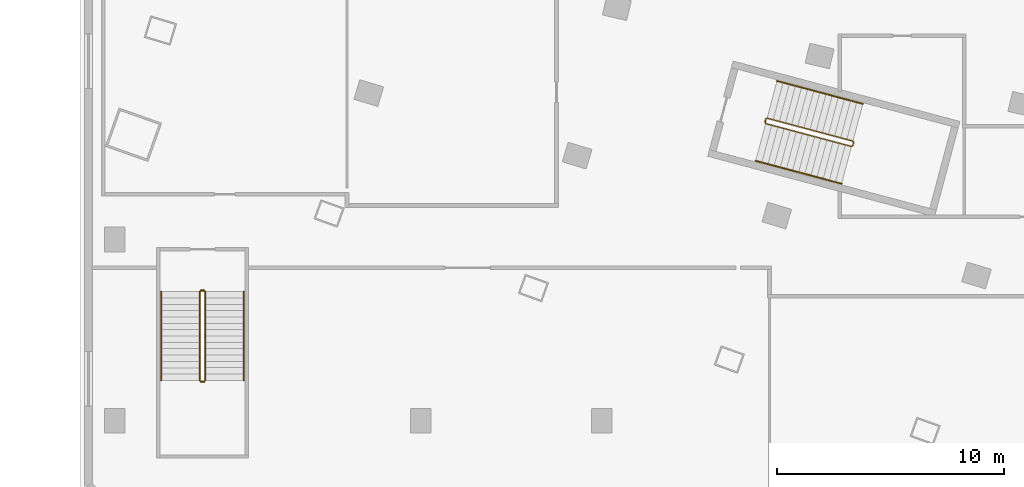
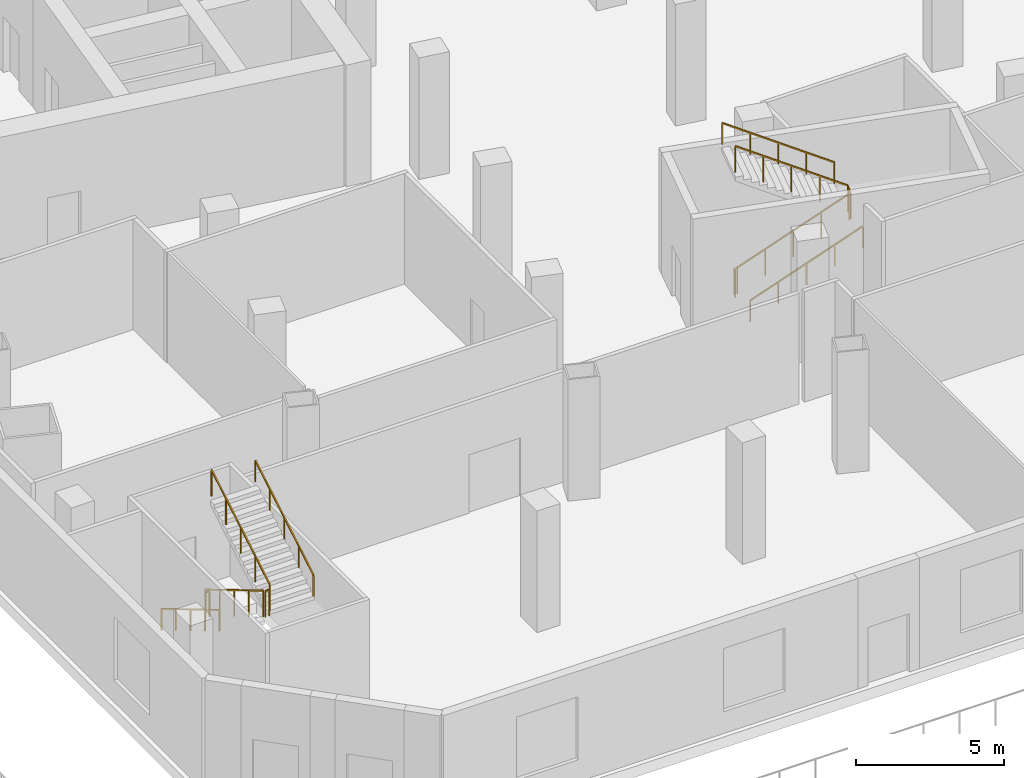
# One storey, part 11 of 15: 9 railings.
"""IFC4 building model written with IfcOpenShell, lengths in metres."""

from ifc_helpers import new_model, si_unit, direction, frame, origin, origin_with_axes, origin_2d, place, context, subcontext, project, spatial, rectangle, extrude, material, type_object, element, save


model = new_model("IFC4")

# Units and contexts
model_context = context("Model", 3, precision=1e-05, world=origin(), true_north=direction((0.0, 1.0)))
body_context = subcontext(model_context, "Body", "Model", "MODEL_VIEW")
ifc_project = project(units=[si_unit("LENGTHUNIT", "METRE"), si_unit("AREAUNIT", "SQUARE_METRE"), si_unit("VOLUMEUNIT", "CUBIC_METRE"), si_unit("PLANEANGLEUNIT", "RADIAN"), si_unit("MASSUNIT", "GRAM", prefix="KILO")], contexts=[model_context])

# Site, building, storey
site_placement = place(None, origin())
site = spatial("IfcSite", under=ifc_project, at=site_placement, CompositionType="ELEMENT")
building_placement = place(site_placement, origin())
building = spatial("IfcBuilding", under=site, at=building_placement, Name="Alderwake Tower", CompositionType="ELEMENT")
storey_placement = place(building_placement, frame((0.0, 0.0, 13.5)))
storey = spatial("IfcBuildingStorey", under=building, at=storey_placement, Name="L02", CompositionType="ELEMENT", Elevation=13.5)

# Railings
ifc_material_1 = material(Name="Stainless steel guard", Category="steel")
railing_type_1 = type_object("IfcRailingType", Name="Stair guard 1100", PredefinedType="GUARDRAIL", material=ifc_material_1)
railing_1_placement = place(storey_placement, frame((39.1943359375, 29.17431640625, 0.0)))
element("IfcRailing", 1, at=railing_1_placement, inside=storey, type_object=railing_type_1, Name="L02 ST-C stair guard 1", PredefinedType="GUARDRAIL", context=body_context, shape_type="SweptSolid", body=[
    extrude(rectangle(XDim=0.048095703125, YDim=0.048095703125, at=origin_2d()), frame((0.0, 0.0, 1.076171875), z_axis=(0.257459803502, 0.966289009345, 0.0), x_axis=(-0.966289009345, 0.257459803502, 0.0)), (0.0, 0.0, 1.0), 0.14990234375),
    extrude(rectangle(XDim=0.048095703125, YDim=0.048095703125, at=origin_2d()), frame((0.03857421875, 0.144775390625, 1.076171875), z_axis=(-0.011972574685, -0.77729638721, 0.629020654578), x_axis=(0.999881397308, -0.015401016783, 0.0)), (0.0, 0.0, 1.0), 0.26513671875),
    extrude(rectangle(XDim=0.048095703125, YDim=0.048095703125, at=origin_2d()), frame((0.035400390625, -0.061279296875, 1.24267578125), z_axis=(0.830357132045, -0.221182394093, 0.511454183485), x_axis=(0.257395181013, 0.966306225164, 0.0)), (0.0, 0.0, 1.0), 4.56201171875),
    extrude(rectangle(XDim=0.048095703125, YDim=0.048095703125, at=origin_2d()), frame((3.823486328125, -1.0703125, 3.576171875), z_axis=(0.863528236688, 0.504300490226, 0.0), x_axis=(-0.504300490226, 0.863528236688, 0.0)), (0.0, 0.0, 1.0), 0.07080078125),
    extrude(rectangle(XDim=0.048095703125, YDim=0.048095703125, at=origin_2d()), frame((3.884521484375, -1.03466796875, 3.576171875), z_axis=(0.257459803502, 0.966289009345, 0.0), x_axis=(-0.966289009345, 0.257459803502, 0.0)), (0.0, 0.0, 1.0), 0.14990234375),
    extrude(rectangle(XDim=0.048095703125, YDim=0.048095703125, at=origin_2d()), frame((3.923095703125, -0.889892578125, 3.576171875), z_axis=(-0.195426486395, 0.338289986794, 0.920526139363), x_axis=(-0.865898279276, -0.500220121494, 0.0)), (0.0, 0.0, 1.0), 0.18115234375),
    extrude(rectangle(XDim=0.048095703125, YDim=0.048095703125, at=origin_2d()), frame((3.8876953125, -0.82861328125, 3.74267578125), z_axis=(-0.830340513786, 0.221192223234, 0.511476912037), x_axis=(-0.257410671869, -0.966302098729, 0.0)), (0.0, 0.0, 1.0), 4.561767578125),
    extrude(rectangle(XDim=0.0419921875, YDim=0.0419921875, at=origin_2d()), frame((0.0, 0.0, 0.0), z_axis=(0.0, 0.0, 1.0), x_axis=(0.257459803502, 0.966289009345, 0.0)), (0.0, 0.0, 1.0), 1.052001953125),
    extrude(rectangle(XDim=0.0419921875, YDim=0.0419921875, at=origin_2d()), frame((0.03857421875, 0.144775390625, 0.0), z_axis=(0.0, 0.0, 1.0), x_axis=(-0.015401016783, -0.999881397308, 0.0)), (0.0, 0.0, 1.0), 1.052001953125),
    extrude(rectangle(XDim=0.0419921875, YDim=0.0419921875, at=origin_2d()), frame((0.035400390625, -0.061279296875, 0.166748046875), z_axis=(0.0, 0.0, 1.0), x_axis=(0.966306225164, -0.257395181013, 0.0)), (0.0, 0.0, 1.0), 1.052001953125),
    extrude(rectangle(XDim=0.0419921875, YDim=0.0419921875, at=origin_2d()), frame((0.982421875, -0.3134765625, 0.75), z_axis=(0.0, 0.0, 1.0), x_axis=(0.966306225164, -0.257395181013, 0.0)), (0.0, 0.0, 1.0), 1.052001953125),
    extrude(rectangle(XDim=0.0419921875, YDim=0.0419921875, at=origin_2d()), frame((1.929443359375, -0.56591796875, 1.33349609375), z_axis=(0.0, 0.0, 1.0), x_axis=(0.966306225164, -0.257395181013, 0.0)), (0.0, 0.0, 1.0), 1.052001953125),
    extrude(rectangle(XDim=0.0419921875, YDim=0.0419921875, at=origin_2d()), frame((2.87646484375, -0.818115234375, 1.916748046875), z_axis=(0.0, 0.0, 1.0), x_axis=(0.966306225164, -0.257395181013, 0.0)), (0.0, 0.0, 1.0), 1.052001953125),
    extrude(rectangle(XDim=0.0419921875, YDim=0.0419921875, at=origin_2d()), frame((3.823486328125, -1.0703125, 2.5), z_axis=(0.0, 0.0, 1.0), x_axis=(0.863528236688, 0.504300490226, 0.0)), (0.0, 0.0, 1.0), 1.052001953125),
    extrude(rectangle(XDim=0.0419921875, YDim=0.0419921875, at=origin_2d()), frame((3.884521484375, -1.03466796875, 2.5), z_axis=(0.0, 0.0, 1.0), x_axis=(0.257459803502, 0.966289009345, 0.0)), (0.0, 0.0, 1.0), 1.052001953125),
    extrude(rectangle(XDim=0.0419921875, YDim=0.0419921875, at=origin_2d()), frame((3.923095703125, -0.889892578125, 2.5), z_axis=(0.0, 0.0, 1.0), x_axis=(-0.500220121494, 0.865898279276, 0.0)), (0.0, 0.0, 1.0), 1.052001953125),
    extrude(rectangle(XDim=0.0419921875, YDim=0.0419921875, at=origin_2d()), frame((3.8876953125, -0.82861328125, 2.666748046875), z_axis=(0.0, 0.0, 1.0), x_axis=(-0.966302098729, 0.257410671869, 0.0)), (0.0, 0.0, 1.0), 1.052001953125),
    extrude(rectangle(XDim=0.0419921875, YDim=0.0419921875, at=origin_2d()), frame((2.940673828125, -0.576416015625, 3.25), z_axis=(0.0, 0.0, 1.0), x_axis=(-0.966302098729, 0.257410671869, 0.0)), (0.0, 0.0, 1.0), 1.052001953125),
    extrude(rectangle(XDim=0.0419921875, YDim=0.0419921875, at=origin_2d()), frame((1.99365234375, -0.32421875, 3.83349609375), z_axis=(0.0, 0.0, 1.0), x_axis=(-0.966302098729, 0.257410671869, 0.0)), (0.0, 0.0, 1.0), 1.052001953125),
    extrude(rectangle(XDim=0.0419921875, YDim=0.0419921875, at=origin_2d()), frame((1.046875, -0.07177734375, 4.416748046875), z_axis=(0.0, 0.0, 1.0), x_axis=(-0.966302098729, 0.257410671869, 0.0)), (0.0, 0.0, 1.0), 1.052001953125),
    extrude(rectangle(XDim=0.0419921875, YDim=0.0419921875, at=origin_2d()), frame((0.099853515625, 0.180419921875, 5.0), z_axis=(0.0, 0.0, 1.0), x_axis=(-0.966302098729, 0.257410671869, 0.0)), (0.0, 0.0, 1.0), 1.052001953125),
])
railing_2_placement = place(storey_placement, frame((14.25, 21.699951171875, 0.166748046875)))
element("IfcRailing", 2, at=railing_2_placement, inside=storey, type_object=railing_type_1, Name="L02 ST-P1 stair guard 1", PredefinedType="GUARDRAIL", context=body_context, shape_type="SweptSolid", body=[
    extrude(rectangle(XDim=0.048095703125, YDim=0.048095703125, at=origin_2d()), frame((0.0, 0.0, 1.076171875), z_axis=(0.0, -0.859296244711, 0.511478214419), x_axis=(1.0, 0.0, 0.0)), (0.0, 0.0, 1.0), 4.561767578125),
    extrude(rectangle(XDim=0.0419921875, YDim=0.0419921875, at=origin_2d()), frame((0.0, 0.0, 0.0), z_axis=(0.0, 0.0, 1.0), x_axis=(0.0, -1.0, 0.0)), (0.0, 0.0, 1.0), 1.052001953125),
    extrude(rectangle(XDim=0.0419921875, YDim=0.0419921875, at=origin_2d()), frame((0.0, -0.97998046875, 0.583251953125), z_axis=(0.0, 0.0, 1.0), x_axis=(0.0, -1.0, 0.0)), (0.0, 0.0, 1.0), 1.052001953125),
    extrude(rectangle(XDim=0.0419921875, YDim=0.0419921875, at=origin_2d()), frame((0.0, -1.9599609375, 1.16650390625), z_axis=(0.0, 0.0, 1.0), x_axis=(0.0, -1.0, 0.0)), (0.0, 0.0, 1.0), 1.052001953125),
    extrude(rectangle(XDim=0.0419921875, YDim=0.0419921875, at=origin_2d()), frame((0.0, -2.93994140625, 1.75), z_axis=(0.0, 0.0, 1.0), x_axis=(0.0, -1.0, 0.0)), (0.0, 0.0, 1.0), 1.052001953125),
    extrude(rectangle(XDim=0.0419921875, YDim=0.0419921875, at=origin_2d()), frame((0.0, -3.919921875, 2.333251953125), z_axis=(0.0, 0.0, 1.0), x_axis=(0.0, -1.0, 0.0)), (0.0, 0.0, 1.0), 1.052001953125),
])
railing_3_placement = place(storey_placement, frame((14.300048828125, 17.72998046875, 2.5)))
element("IfcRailing", 3, at=railing_3_placement, inside=storey, type_object=railing_type_1, Name="L02 ST-P1 stair guard 2", PredefinedType="GUARDRAIL", context=body_context, shape_type="SweptSolid", body=[
    extrude(rectangle(XDim=0.048095703125, YDim=0.048095703125, at=origin_2d()), frame((0.0, 0.0, 1.076171875), z_axis=(1.0, 0.0, 0.0), x_axis=(0.0, 1.0, 0.0)), (0.0, 0.0, 1.0), 0.14990234375),
    extrude(rectangle(XDim=0.0419921875, YDim=0.0419921875, at=origin_2d()), origin_with_axes(), (0.0, 0.0, 1.0), 1.052001953125),
    extrude(rectangle(XDim=0.0419921875, YDim=0.0419921875, at=origin_2d()), frame((0.14990234375, 0.0, 0.0), z_axis=(0.0, 0.0, 1.0), x_axis=(1.0, 0.0, 0.0)), (0.0, 0.0, 1.0), 1.052001953125),
])
railing_4_placement = place(storey_placement, frame((14.5, 17.780029296875, 2.666748046875)))
element("IfcRailing", 4, at=railing_4_placement, inside=storey, type_object=railing_type_1, Name="L02 ST-P1 stair guard 3", PredefinedType="GUARDRAIL", context=body_context, shape_type="SweptSolid", body=[
    extrude(rectangle(XDim=0.048095703125, YDim=0.048095703125, at=origin_2d()), frame((0.0, 0.0, 1.076171875), z_axis=(0.0, 0.859296244711, 0.511478214419), x_axis=(-1.0, 0.0, 0.0)), (0.0, 0.0, 1.0), 4.561767578125),
    extrude(rectangle(XDim=0.0419921875, YDim=0.0419921875, at=origin_2d()), frame((0.0, 0.0, 0.0), z_axis=(0.0, 0.0, 1.0), x_axis=(0.0, 1.0, 0.0)), (0.0, 0.0, 1.0), 1.052001953125),
    extrude(rectangle(XDim=0.0419921875, YDim=0.0419921875, at=origin_2d()), frame((0.0, 0.97998046875, 0.583251953125), z_axis=(0.0, 0.0, 1.0), x_axis=(0.0, 1.0, 0.0)), (0.0, 0.0, 1.0), 1.052001953125),
    extrude(rectangle(XDim=0.0419921875, YDim=0.0419921875, at=origin_2d()), frame((0.0, 1.9599609375, 1.16650390625), z_axis=(0.0, 0.0, 1.0), x_axis=(0.0, 1.0, 0.0)), (0.0, 0.0, 1.0), 1.052001953125),
    extrude(rectangle(XDim=0.0419921875, YDim=0.0419921875, at=origin_2d()), frame((0.0, 2.93994140625, 1.75), z_axis=(0.0, 0.0, 1.0), x_axis=(0.0, 1.0, 0.0)), (0.0, 0.0, 1.0), 1.052001953125),
    extrude(rectangle(XDim=0.0419921875, YDim=0.0419921875, at=origin_2d()), frame((0.0, 3.919921875, 2.333251953125), z_axis=(0.0, 0.0, 1.0), x_axis=(0.0, 1.0, 0.0)), (0.0, 0.0, 1.0), 1.052001953125),
])
railing_5_placement = place(storey_placement, frame((14.300048828125, 21.75, 0.0)))
element("IfcRailing", 5, at=railing_5_placement, inside=storey, type_object=railing_type_1, Name="L02 ST-P1 stair guard 4", PredefinedType="GUARDRAIL", context=body_context, shape_type="SweptSolid", body=[
    extrude(rectangle(XDim=0.048095703125, YDim=0.048095703125, at=origin_2d()), frame((0.0, 0.0, 1.076171875), z_axis=(1.0, 0.0, 0.0), x_axis=(0.0, 1.0, 0.0)), (0.0, 0.0, 1.0), 0.14990234375),
    extrude(rectangle(XDim=0.0419921875, YDim=0.0419921875, at=origin_2d()), origin_with_axes(), (0.0, 0.0, 1.0), 1.052001953125),
    extrude(rectangle(XDim=0.0419921875, YDim=0.0419921875, at=origin_2d()), frame((0.14990234375, 0.0, 0.0), z_axis=(0.0, 0.0, 1.0), x_axis=(1.0, 0.0, 0.0)), (0.0, 0.0, 1.0), 1.052001953125),
])
ifc_material_2 = material(Name="Stainless steel handrail", Category="steel")
railing_type_2 = type_object("IfcRailingType", Name="Stair handrail 900", PredefinedType="HANDRAIL", material=ifc_material_2)
railing_6_placement = place(storey_placement, frame((38.792236328125, 27.47021484375, 0.166748046875)))
element("IfcRailing", 6, at=railing_6_placement, inside=storey, type_object=railing_type_2, Name="L02 ST-C stair handrail 1", PredefinedType="HANDRAIL", context=body_context, shape_type="SweptSolid", body=[
    extrude(rectangle(XDim=0.048095703125, YDim=0.048095703125, at=origin_2d()), frame((0.0, 0.0, 0.8759765625), z_axis=(0.830350342251, -0.221141322216, 0.511482966219), x_axis=(0.25735251548, 0.966317588982, 0.0)), (0.0, 0.0, 1.0), 4.561767578125),
    extrude(rectangle(XDim=0.0419921875, YDim=0.0419921875, at=origin_2d()), frame((0.0, 0.0, 0.0), z_axis=(0.0, 0.0, 1.0), x_axis=(0.966317588982, -0.25735251548, 0.0)), (0.0, 0.0, 1.0), 0.851806640625),
    extrude(rectangle(XDim=0.0419921875, YDim=0.0419921875, at=origin_2d()), frame((0.947021484375, -0.252197265625, 0.583251953125), z_axis=(0.0, 0.0, 1.0), x_axis=(0.966317588982, -0.25735251548, 0.0)), (0.0, 0.0, 1.0), 0.851806640625),
    extrude(rectangle(XDim=0.0419921875, YDim=0.0419921875, at=origin_2d()), frame((1.89404296875, -0.50439453125, 1.16650390625), z_axis=(0.0, 0.0, 1.0), x_axis=(0.966317588982, -0.25735251548, 0.0)), (0.0, 0.0, 1.0), 0.851806640625),
    extrude(rectangle(XDim=0.0419921875, YDim=0.0419921875, at=origin_2d()), frame((2.8408203125, -0.756591796875, 1.75), z_axis=(0.0, 0.0, 1.0), x_axis=(0.966317588982, -0.25735251548, 0.0)), (0.0, 0.0, 1.0), 0.851806640625),
    extrude(rectangle(XDim=0.0419921875, YDim=0.0419921875, at=origin_2d()), frame((3.787841796875, -1.0087890625, 2.333251953125), z_axis=(0.0, 0.0, 1.0), x_axis=(0.966317588982, -0.25735251548, 0.0)), (0.0, 0.0, 1.0), 0.851806640625),
])
railing_7_placement = place(storey_placement, frame((43.51953125, 29.988525390625, 2.666748046875)))
element("IfcRailing", 7, at=railing_7_placement, inside=storey, type_object=railing_type_2, Name="L02 ST-C stair handrail 2", PredefinedType="HANDRAIL", context=body_context, shape_type="SweptSolid", body=[
    extrude(rectangle(XDim=0.048095703125, YDim=0.048095703125, at=origin_2d()), frame((0.0, 0.0, 0.8759765625), z_axis=(-0.830350342251, 0.221141322216, 0.511482966219), x_axis=(-0.25735251548, -0.966317588982, 0.0)), (0.0, 0.0, 1.0), 4.561767578125),
    extrude(rectangle(XDim=0.0419921875, YDim=0.0419921875, at=origin_2d()), frame((0.0, 0.0, 0.0), z_axis=(0.0, 0.0, 1.0), x_axis=(-0.966317588982, 0.25735251548, 0.0)), (0.0, 0.0, 1.0), 0.851806640625),
    extrude(rectangle(XDim=0.0419921875, YDim=0.0419921875, at=origin_2d()), frame((-0.947021484375, 0.252197265625, 0.583251953125), z_axis=(0.0, 0.0, 1.0), x_axis=(-0.966317588982, 0.25735251548, 0.0)), (0.0, 0.0, 1.0), 0.851806640625),
    extrude(rectangle(XDim=0.0419921875, YDim=0.0419921875, at=origin_2d()), frame((-1.89404296875, 0.50439453125, 1.16650390625), z_axis=(0.0, 0.0, 1.0), x_axis=(-0.966317588982, 0.25735251548, 0.0)), (0.0, 0.0, 1.0), 0.851806640625),
    extrude(rectangle(XDim=0.0419921875, YDim=0.0419921875, at=origin_2d()), frame((-2.8408203125, 0.756591796875, 1.75), z_axis=(0.0, 0.0, 1.0), x_axis=(-0.966317588982, 0.25735251548, 0.0)), (0.0, 0.0, 1.0), 0.851806640625),
    extrude(rectangle(XDim=0.0419921875, YDim=0.0419921875, at=origin_2d()), frame((-3.787841796875, 1.0087890625, 2.333251953125), z_axis=(0.0, 0.0, 1.0), x_axis=(-0.966317588982, 0.25735251548, 0.0)), (0.0, 0.0, 1.0), 0.851806640625),
])
railing_8_placement = place(storey_placement, frame((12.550048828125, 21.699951171875, 0.166748046875)))
element("IfcRailing", 8, at=railing_8_placement, inside=storey, type_object=railing_type_2, Name="L02 ST-P1 stair handrail 1", PredefinedType="HANDRAIL", context=body_context, shape_type="SweptSolid", body=[
    extrude(rectangle(XDim=0.048095703125, YDim=0.048095703125, at=origin_2d()), frame((0.0, 0.0, 0.8759765625), z_axis=(0.0, -0.859296244711, 0.511478214419), x_axis=(1.0, 0.0, 0.0)), (0.0, 0.0, 1.0), 4.561767578125),
    extrude(rectangle(XDim=0.0419921875, YDim=0.0419921875, at=origin_2d()), frame((0.0, 0.0, 0.0), z_axis=(0.0, 0.0, 1.0), x_axis=(0.0, -1.0, 0.0)), (0.0, 0.0, 1.0), 0.851806640625),
    extrude(rectangle(XDim=0.0419921875, YDim=0.0419921875, at=origin_2d()), frame((0.0, -0.97998046875, 0.583251953125), z_axis=(0.0, 0.0, 1.0), x_axis=(0.0, -1.0, 0.0)), (0.0, 0.0, 1.0), 0.851806640625),
    extrude(rectangle(XDim=0.0419921875, YDim=0.0419921875, at=origin_2d()), frame((0.0, -1.9599609375, 1.16650390625), z_axis=(0.0, 0.0, 1.0), x_axis=(0.0, -1.0, 0.0)), (0.0, 0.0, 1.0), 0.851806640625),
    extrude(rectangle(XDim=0.0419921875, YDim=0.0419921875, at=origin_2d()), frame((0.0, -2.93994140625, 1.75), z_axis=(0.0, 0.0, 1.0), x_axis=(0.0, -1.0, 0.0)), (0.0, 0.0, 1.0), 0.851806640625),
    extrude(rectangle(XDim=0.0419921875, YDim=0.0419921875, at=origin_2d()), frame((0.0, -3.919921875, 2.333251953125), z_axis=(0.0, 0.0, 1.0), x_axis=(0.0, -1.0, 0.0)), (0.0, 0.0, 1.0), 0.851806640625),
])
railing_9_placement = place(storey_placement, frame((16.199951171875, 17.780029296875, 2.666748046875)))
element("IfcRailing", 9, at=railing_9_placement, inside=storey, type_object=railing_type_2, Name="L02 ST-P1 stair handrail 2", PredefinedType="HANDRAIL", context=body_context, shape_type="SweptSolid", body=[
    extrude(rectangle(XDim=0.048095703125, YDim=0.048095703125, at=origin_2d()), frame((0.0, 0.0, 0.8759765625), z_axis=(0.0, 0.859296244711, 0.511478214419), x_axis=(-1.0, 0.0, 0.0)), (0.0, 0.0, 1.0), 4.561767578125),
    extrude(rectangle(XDim=0.0419921875, YDim=0.0419921875, at=origin_2d()), frame((0.0, 0.0, 0.0), z_axis=(0.0, 0.0, 1.0), x_axis=(0.0, 1.0, 0.0)), (0.0, 0.0, 1.0), 0.851806640625),
    extrude(rectangle(XDim=0.0419921875, YDim=0.0419921875, at=origin_2d()), frame((0.0, 0.97998046875, 0.583251953125), z_axis=(0.0, 0.0, 1.0), x_axis=(0.0, 1.0, 0.0)), (0.0, 0.0, 1.0), 0.851806640625),
    extrude(rectangle(XDim=0.0419921875, YDim=0.0419921875, at=origin_2d()), frame((0.0, 1.9599609375, 1.16650390625), z_axis=(0.0, 0.0, 1.0), x_axis=(0.0, 1.0, 0.0)), (0.0, 0.0, 1.0), 0.851806640625),
    extrude(rectangle(XDim=0.0419921875, YDim=0.0419921875, at=origin_2d()), frame((0.0, 2.93994140625, 1.75), z_axis=(0.0, 0.0, 1.0), x_axis=(0.0, 1.0, 0.0)), (0.0, 0.0, 1.0), 0.851806640625),
    extrude(rectangle(XDim=0.0419921875, YDim=0.0419921875, at=origin_2d()), frame((0.0, 3.919921875, 2.333251953125), z_axis=(0.0, 0.0, 1.0), x_axis=(0.0, 1.0, 0.0)), (0.0, 0.0, 1.0), 0.851806640625),
])

save(model, "model.ifc")
